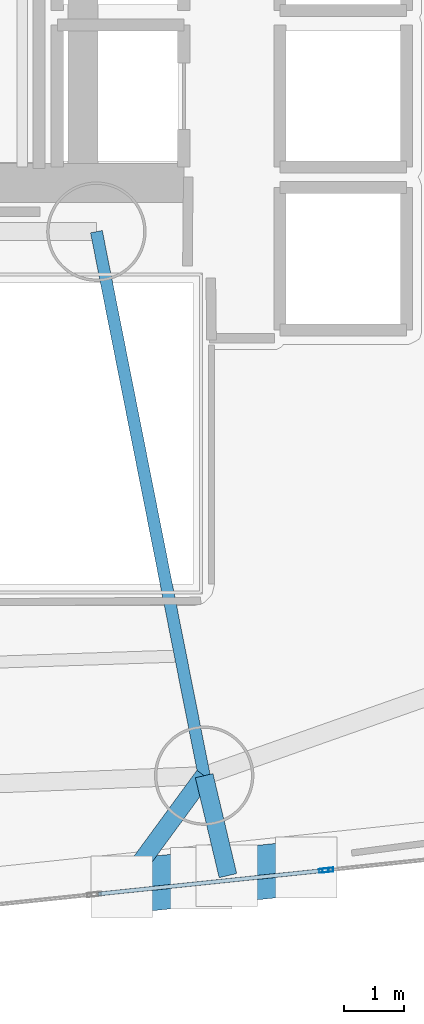
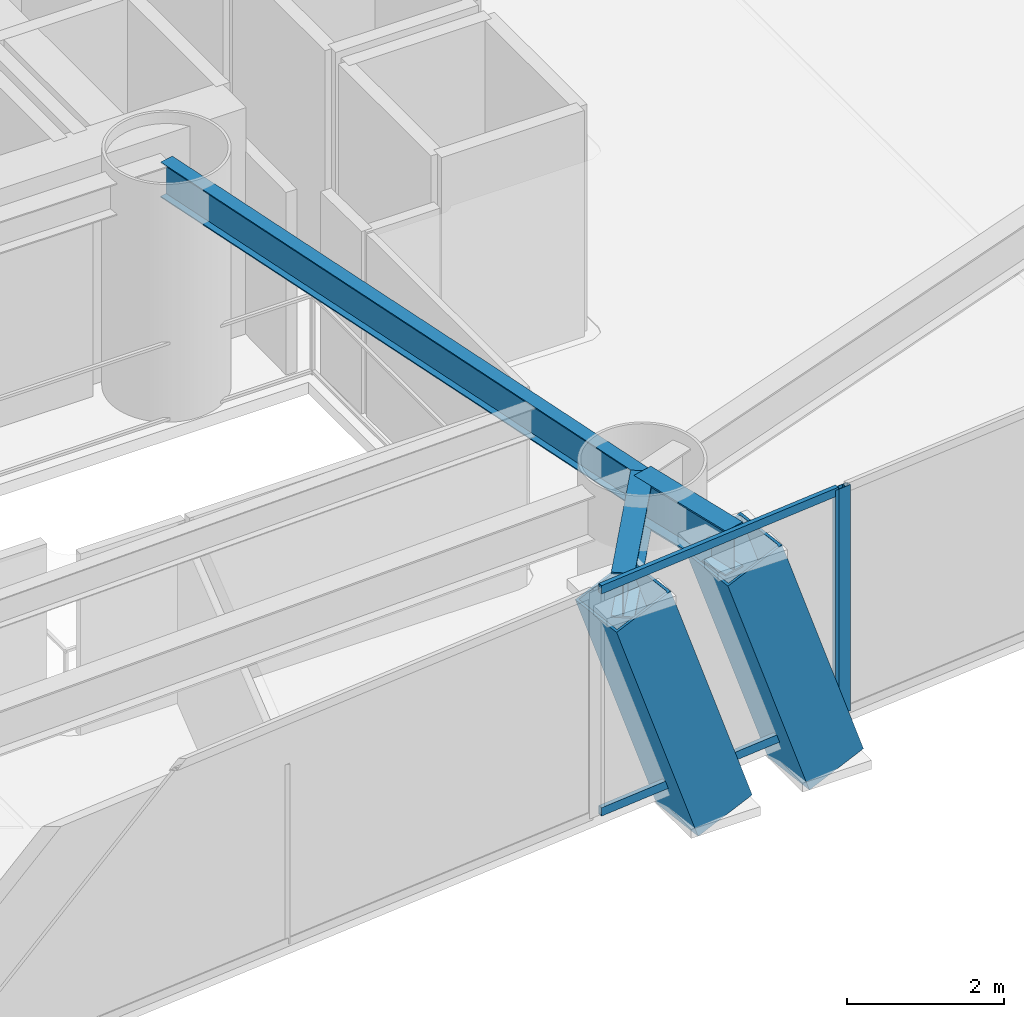
# One storey, part 6 of 23: 6 members, 3 beams, 2 elements without a shape of their own.
"""IFC4 building model written with IfcOpenShell, lengths in metres."""

from ifc_helpers import new_model, si_unit, direction, frame, origin, origin_2d, place, context, subcontext, project, spatial, hollow_rectangle, i_section, extrude, material, layer, layer_set, material_profile, profile_set, type_object, element, aggregate, save


model = new_model("IFC4")

# Units and contexts
model_context = context("Model", 3, precision=1e-05, world=origin(), true_north=direction((0.0, 1.0)))
body_context = subcontext(model_context, "Body", "Model", "MODEL_VIEW")
ifc_project = project(units=[si_unit("LENGTHUNIT", "METRE"), si_unit("AREAUNIT", "SQUARE_METRE"), si_unit("VOLUMEUNIT", "CUBIC_METRE"), si_unit("PLANEANGLEUNIT", "RADIAN"), si_unit("MASSUNIT", "GRAM", prefix="KILO")], contexts=[model_context])

# Site, building, storey
site_placement = place(None, origin())
site = spatial("IfcSite", under=ifc_project, at=site_placement, CompositionType="ELEMENT")
building_placement = place(site_placement, origin())
building = spatial("IfcBuilding", under=site, at=building_placement, Name="Qianvela Tower", CompositionType="ELEMENT")
storey_placement = place(building_placement, frame((0.0, 0.0, 67.300048828125)))
storey = spatial("IfcBuildingStorey", under=building, at=storey_placement, Name="L16", CompositionType="ELEMENT", Elevation=67.300048828125)

# Beams
ifc_material_1 = material(Name="Steel Q355B", Category="steel")
ifc_material_profile_1 = material_profile(ifc_material_1, i_section(OverallWidth=0.199951171875, OverallDepth=0.550048828125, WebThickness=0.010009765625, FlangeThickness=0.01611328125, at=origin_2d()), Name="HN550x200x10x16")
ifc_profile_set_1 = profile_set([ifc_material_profile_1], Name="Steel Q355B")
beam_type_1 = type_object("IfcBeamType", Name="BM-HN550-GIRD", PredefinedType="BEAM", material=ifc_profile_set_1)
beam_1_placement = place(storey_placement, frame((38.39990234375, 23.85009765625, 3.242919921875), z_axis=(0.194325825688, -0.980937038485, 0.0), x_axis=(0.980937038485, 0.194325825688, 0.0)))
element("IfcBeam", 1, at=beam_1_placement, inside=storey, type_object=beam_type_1, Name="L16 Radial Primary Floor Girder 6", PredefinedType="BEAM", context=body_context, shape_type="SweptSolid", body=[
    extrude(i_section(OverallWidth=0.199951171875, OverallDepth=0.550048828125, WebThickness=0.010009765625, FlangeThickness=0.01611328125, at=origin_2d()), origin(), (0.0, 0.0, 1.0), 9.20654296875),
])
ifc_material_2 = material(Name="Steel Q355B", Category="steel")
ifc_material_profile_2 = material_profile(ifc_material_2, i_section(OverallWidth=0.300048828125, OverallDepth=0.699951171875, WebThickness=0.012939453125, FlangeThickness=0.02392578125, at=origin_2d()), Name="HN700x300x13x24")
ifc_profile_set_2 = profile_set([ifc_material_profile_2], Name="Steel Q355B")
beam_type_2 = type_object("IfcBeamType", Name="BM-HN700-SPAND", PredefinedType="SPANDREL", material=ifc_profile_set_2)
beam_2_placement = place(storey_placement, frame((40.18896484375, 14.819091796875, 3.16796875), z_axis=(-0.591011161498, -0.806663378978, 0.0), x_axis=(0.806663378978, -0.591011161498, 0.0)))
element("IfcBeam", 2, at=beam_2_placement, inside=storey, type_object=beam_type_2, Name="L16 Mega-Brace Column Tie Bracket F3-1", PredefinedType="SPANDREL", context=body_context, shape_type="SweptSolid", body=[
    extrude(i_section(OverallWidth=0.300048828125, OverallDepth=0.699951171875, WebThickness=0.012939453125, FlangeThickness=0.02392578125, at=origin_2d()), origin(), (0.0, 0.0, 1.0), 2.2822265625),
])
beam_3_placement = place(storey_placement, frame((40.18896484375, 14.819091796875, 3.16796875), z_axis=(0.231168970464, -0.972913617489, 0.0), x_axis=(0.972913617489, 0.231168970464, 0.0)))
element("IfcBeam", 3, at=beam_3_placement, inside=storey, type_object=beam_type_2, Name="L16 Mega-Brace Column Tie Bracket F3-2", PredefinedType="SPANDREL", context=body_context, shape_type="SweptSolid", body=[
    extrude(i_section(OverallWidth=0.300048828125, OverallDepth=0.699951171875, WebThickness=0.012939453125, FlangeThickness=0.02392578125, at=origin_2d()), origin(), (0.0, 0.0, 1.0), 1.70556640625),
])

# Curtain wall, members
ifc_material_3 = material(Name="Anodised Architectural Aluminium and Insulated Spandrel Panel", Category="aluminium")
ifc_layer_1 = layer(ifc_material_3, 0.179931640625)
ifc_layer_set_1 = layer_set([ifc_layer_1], Name="Anodised Architectural Aluminium and Insulated Spandrel Panel")
curtain_wall_type_1 = type_object("IfcCurtainWallType", Name="CW-BRACEBAY", PredefinedType="USERDEFINED", material=ifc_layer_set_1)
curtain_wall_1_placement = place(storey_placement, origin())
curtain_wall_1 = element("IfcCurtainWall", 4, at=curtain_wall_1_placement, inside=storey, type_object=curtain_wall_type_1, Name="L16 CW-BRACEBAY Curtain Wall 06B", ObjectType="CURTAIN_WALL_SYSTEM", PredefinedType="USERDEFINED")
ifc_material_4 = material(Name="Anodised Architectural Aluminium 6063-T6", Category="aluminium")
ifc_material_profile_3 = material_profile(ifc_material_4, hollow_rectangle(XDim=0.06494140625, YDim=0.159912109375, WallThickness=0.0048828125, at=origin_2d()), Name="ALU-MULL-65x160")
ifc_profile_set_3 = profile_set([ifc_material_profile_3], Name="Anodised Architectural Aluminium 6063-T6")
member_type_1 = type_object("IfcMemberType", Name="CW-BRACEBAY-MULL", PredefinedType="MULLION", material=ifc_profile_set_3)
member_1_placement = place(storey_placement, frame((42.17529296875, 13.245361328125, 0.0), z_axis=(0.0, 0.0, 1.0), x_axis=(-0.103704326587, 0.99460817041, 0.0)))
member_1 = element("IfcMember", 5, at=member_1_placement, type_object=member_type_1, Name="CW-9 mullion 2", PredefinedType="MULLION", context=body_context, shape_type="SweptSolid", body=[
    extrude(hollow_rectangle(XDim=0.06494140625, YDim=0.159912109375, WallThickness=0.0048828125, at=origin_2d()), origin(), (0.0, 0.0, 1.0), 3.52001953125),
])
ifc_material_5 = material(Name="Anodised Architectural Aluminium 6063-T6", Category="aluminium")
ifc_material_profile_4 = material_profile(ifc_material_5, hollow_rectangle(XDim=0.06494140625, YDim=0.1298828125, WallThickness=0.00439453125, at=origin_2d()), Name="ALU-TRAN-65x130")
ifc_profile_set_4 = profile_set([ifc_material_profile_4], Name="Anodised Architectural Aluminium 6063-T6")
member_type_2 = type_object("IfcMemberType", Name="CW-BRACEBAY-TRAN", PredefinedType="USERDEFINED", material=ifc_profile_set_4)
member_2_placement = place(storey_placement, frame((38.43310546875, 12.855224609375, 0.032470703125), z_axis=(0.994611099606, 0.103676229388, 0.0), x_axis=(-0.103676229388, 0.994611099606, 0.0)))
member_2 = element("IfcMember", 6, at=member_2_placement, type_object=member_type_2, Name="CW-9 transom 1.1", ObjectType="TRANSOM", PredefinedType="USERDEFINED", context=body_context, shape_type="SweptSolid", body=[
    extrude(hollow_rectangle(XDim=0.06494140625, YDim=0.1298828125, WallThickness=0.00439453125, at=origin_2d()), origin(), (0.0, 0.0, 1.0), 3.72998046875),
])
member_3_placement = place(storey_placement, frame((38.43310546875, 12.855224609375, 3.487548828125), z_axis=(0.994611099606, 0.103676229388, 0.0), x_axis=(-0.103676229388, 0.994611099606, 0.0)))
member_3 = element("IfcMember", 7, at=member_3_placement, type_object=member_type_2, Name="CW-9 transom 1.2", ObjectType="TRANSOM", PredefinedType="USERDEFINED", context=body_context, shape_type="SweptSolid", body=[
    extrude(hollow_rectangle(XDim=0.06494140625, YDim=0.1298828125, WallThickness=0.00439453125, at=origin_2d()), origin(), (0.0, 0.0, 1.0), 3.72998046875),
])
aggregate(curtain_wall_1, [member_1, member_2, member_3])

# Curtain wall, member
ifc_material_6 = material(Name="Anodised Architectural Aluminium and Low-E Glass", Category="aluminium")
ifc_layer_2 = layer(ifc_material_6, 0.179931640625)
ifc_layer_set_2 = layer_set([ifc_layer_2], Name="Anodised Architectural Aluminium and Low-E Glass")
curtain_wall_type_2 = type_object("IfcCurtainWallType", Name="CW-COLIV-Z12", PredefinedType="USERDEFINED", material=ifc_layer_set_2)
curtain_wall_2_placement = place(storey_placement, origin())
curtain_wall_2 = element("IfcCurtainWall", 8, at=curtain_wall_2_placement, inside=storey, type_object=curtain_wall_type_2, Name="L16 CW-COLIV-Z12 Curtain Wall 06C", ObjectType="CURTAIN_WALL_SYSTEM", PredefinedType="USERDEFINED")
ifc_material_7 = material(Name="Anodised Architectural Aluminium 6063-T6", Category="aluminium")
ifc_material_profile_5 = material_profile(ifc_material_7, hollow_rectangle(XDim=0.070068359375, YDim=0.179931640625, WallThickness=0.0048828125, at=origin_2d()), Name="ALU-MULL-70x180")
ifc_profile_set_5 = profile_set([ifc_material_profile_5], Name="Anodised Architectural Aluminium 6063-T6")
member_type_3 = type_object("IfcMemberType", Name="CW-COLIV-Z12-MULL", PredefinedType="MULLION", material=ifc_profile_set_5)
member_4_placement = place(storey_placement, frame((42.242431640625, 13.25244140625, 0.0), z_axis=(0.0, 0.0, 1.0), x_axis=(-0.103713339993, 0.994607230573, 0.0)))
member_4 = element("IfcMember", 9, at=member_4_placement, type_object=member_type_3, Name="CW-3 mullion 1", PredefinedType="MULLION", context=body_context, shape_type="SweptSolid", body=[
    extrude(hollow_rectangle(XDim=0.070068359375, YDim=0.179931640625, WallThickness=0.0048828125, at=origin_2d()), origin(), (0.0, 0.0, 1.0), 3.52001953125),
])
aggregate(curtain_wall_2, [member_4])

# Members
ifc_material_8 = material(Name="Steel Q420GJC", Category="steel")
ifc_material_profile_6 = material_profile(ifc_material_8, hollow_rectangle(XDim=0.89990234375, YDim=0.89990234375, WallThickness=0.035888671875, at=origin_2d()), Name="MBOX-900x900x36")
ifc_profile_set_6 = profile_set([ifc_material_profile_6], Name="Steel Q420GJC")
member_type_4 = type_object("IfcMemberType", Name="MBR-MBRACE-900", PredefinedType="BRACE", material=ifc_profile_set_6)
for number, where, z_axis, x_axis, name in (
    (10, (40.1162109375, 13.111083984375, -0.531982421875), (-0.325865865178, -0.033976831169, 0.944805277745), (0.103704125559, -0.994608191371, 0.0), "L16 Tier 2 Exterior Mega-Brace F3A"),
    (11, (41.859130859375, 13.292724609375, -0.531982421875), (-0.325810140764, -0.033977521377, 0.944824470585), (0.103723755968, -0.994606144385, 0.0), "L16 Tier 2 Exterior Mega-Brace F3B"),
):
    element("IfcMember", number, at=place(storey_placement, frame(where, z_axis=z_axis, x_axis=x_axis)), inside=storey, type_object=member_type_4, Name=name, PredefinedType="BRACE", context=body_context, shape_type="SweptSolid", body=[
        extrude(hollow_rectangle(XDim=0.89990234375, YDim=0.89990234375, WallThickness=0.035888671875, at=origin_2d()), origin(), (0.0, 0.0, 1.0), 3.916015625),
    ])

save(model, "model.ifc")
